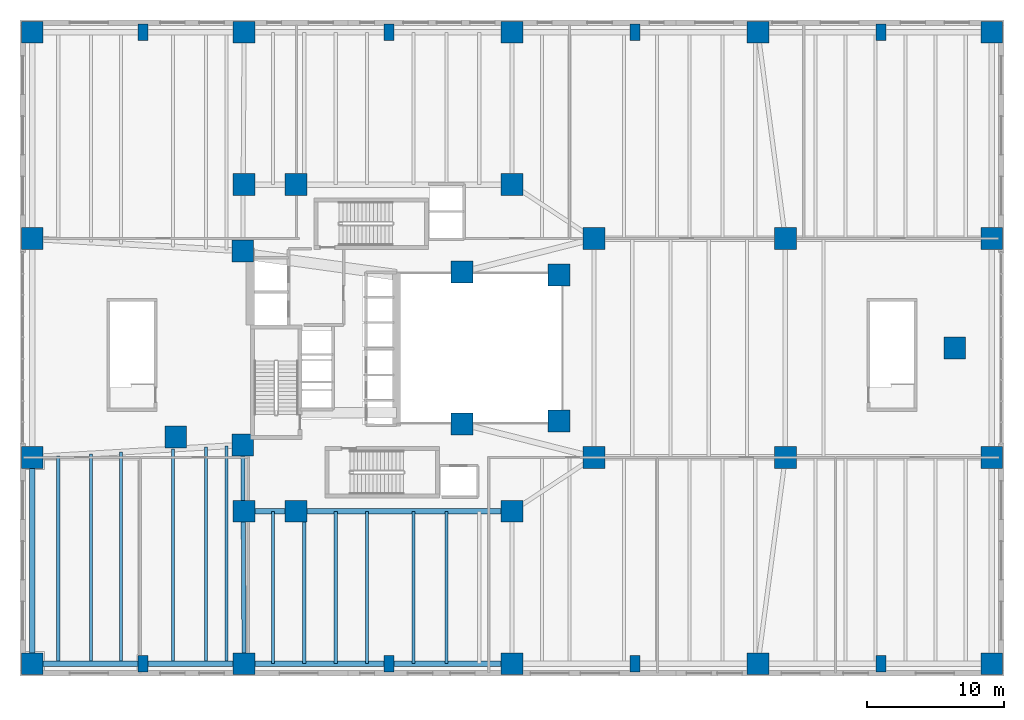
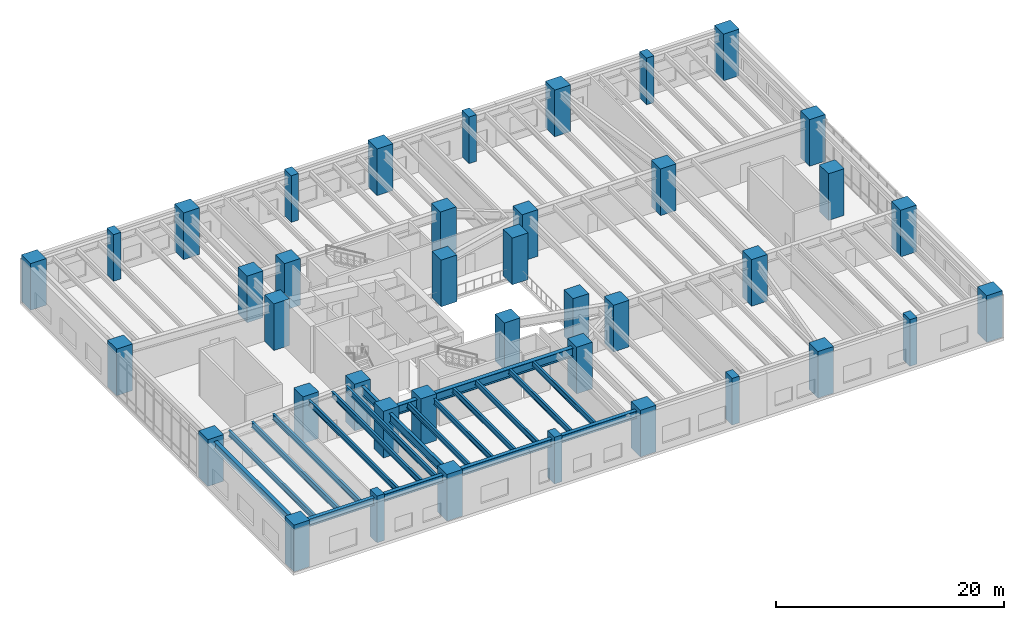
# One storey, part 1 of 18: 40 columns, 19 beams.
"""IFC4 building model written with IfcOpenShell, lengths in metres."""

import ifcopenshell
import ifcopenshell.guid

model = None  # the IFC model being written
_history = None  # IfcOwnerHistory: only IFC2X3 demands one
_inside = {}  # id of a spatial element -> (the spatial element, [elements in it])
_under = {}  # id of a project, library or spatial element -> (it, [spatial elements below it])
_declared = {}  # id of a project -> (the project, [libraries it declares])
_typed = {}  # id of a type object -> (the type object, [elements of that type])
_made_of = {}  # id of a material, layer set ... -> (it, [elements and type objects made of it])


def new_model(schema):
    """Start an empty IFC model of exactly this schema.

    Asked for "IFC4X3", IfcOpenShell would pick the latest addendum, in which some entities
    have other attributes; the version numbers below select the first issue.
    IFC2X3 requires an IfcOwnerHistory on every rooted entity: one is made here for all.
    """
    global model, _history
    if schema == "IFC4X3":
        model = ifcopenshell.file(schema_version=(4, 3, 0, 0))
    else:
        model = ifcopenshell.file(schema=schema)
    _inside.clear()
    _under.clear()
    _declared.clear()
    _typed.clear()
    _made_of.clear()
    _history = None
    if model.schema == "IFC2X3":
        org = make("IfcOrganization", Name="unknown")
        user = make(
            "IfcPersonAndOrganization",
            ThePerson=make("IfcPerson", FamilyName="unknown"),
            TheOrganization=org,
        )
        app = make(
            "IfcApplication",
            ApplicationDeveloper=org,
            Version="unknown",
            ApplicationFullName="unknown",
            ApplicationIdentifier="unknown",
        )
        _history = make(
            "IfcOwnerHistory",
            OwningUser=user,
            OwningApplication=app,
            ChangeAction="ADDED",
            CreationDate=0,
        )
    return model


def make(cls, **values):
    """One entity of the class cls with the attributes given. An attribute that is None is left unset."""
    return model.create_entity(
        cls, **{name: value for name, value in values.items() if value is not None}
    )


def rooted(cls, **values):
    """An entity with a GlobalId (a new one), such as an element, a storey or a relation."""
    return make(cls, GlobalId=ifcopenshell.guid.new(), OwnerHistory=_history, **values)


def si_unit(unit_type, name, prefix=None):
    """IfcSIUnit, for example si_unit("LENGTHUNIT", "METRE", prefix="MILLI")."""
    return make("IfcSIUnit", UnitType=unit_type, Prefix=prefix, Name=name)


def assignment(units):
    """IfcUnitAssignment: the units of a project."""
    return None if units is None else make("IfcUnitAssignment", Units=units)


def point(xyz):
    """IfcCartesianPoint."""
    return None if xyz is None else make("IfcCartesianPoint", Coordinates=xyz)


def direction(xyz):
    """IfcDirection."""
    return None if xyz is None else make("IfcDirection", DirectionRatios=xyz)


def frame(location, z_axis=None, x_axis=None):
    """IfcAxis2Placement3D, a coordinate frame: its origin and axes. An axis left out is left unset."""
    return make(
        "IfcAxis2Placement3D",
        Location=point(location),
        Axis=direction(z_axis),
        RefDirection=direction(x_axis),
    )


def frame_2d(location, x_axis=None):
    """IfcAxis2Placement2D, a coordinate frame in the plane: its origin and x axis."""
    return make(
        "IfcAxis2Placement2D", Location=point(location), RefDirection=direction(x_axis)
    )


def origin():
    """The frame at (0, 0, 0) with its axes left unset."""
    return frame((0.0, 0.0, 0.0))


def origin_2d():
    """The frame at (0, 0) in the plane with its x axis left unset."""
    return frame_2d((0.0, 0.0))


def place(relative_to, where):
    """IfcLocalPlacement: puts the frame where relative to a parent placement (None: the world)."""
    return make(
        "IfcLocalPlacement", PlacementRelTo=relative_to, RelativePlacement=where
    )


def context(
    kind, dimensions, precision=None, world=None, true_north=None, identifier=None
):
    """IfcGeometricRepresentationContext, for example the 3D "Model" context."""
    return make(
        "IfcGeometricRepresentationContext",
        ContextIdentifier=identifier,
        ContextType=kind,
        CoordinateSpaceDimension=dimensions,
        Precision=precision,
        WorldCoordinateSystem=world,
        TrueNorth=true_north,
    )


def subcontext(parent, identifier, kind, view, scale=None):
    """IfcGeometricRepresentationSubContext, for example "Body" below "Model"."""
    return make(
        "IfcGeometricRepresentationSubContext",
        ContextIdentifier=identifier,
        ContextType=kind,
        ParentContext=parent,
        TargetScale=scale,
        TargetView=view,
    )


def project(units=None, contexts=None):
    """IfcProject with its units and contexts."""
    return rooted(
        "IfcProject",
        Name="project",
        RepresentationContexts=contexts,
        UnitsInContext=assignment(units),
    )


def spatial(cls, under=None, at=None, **own):
    """A site, building, storey or space (cls), placed at a placement, below another one or the project."""
    s = rooted(cls, ObjectPlacement=at, **own)
    if under is not None:
        _under.setdefault(under.id(), (under, []))[1].append(s)
    return s


def profile(cls, at=None, kind="AREA", **sizes):
    """A parametric profile (cls). Its sizes go by their IFC names, for example OverallWidth=200.0."""
    return make(cls, ProfileType=kind, Position=at, **sizes)


def rectangle(**sizes):
    """IfcRectangleProfileDef."""
    return profile("IfcRectangleProfileDef", **sizes)


def i_section(**sizes):
    """IfcIShapeProfileDef."""
    return profile("IfcIShapeProfileDef", **sizes)


def extrude(swept, where, along, depth):
    """IfcExtrudedAreaSolid: the profile swept, set in the frame where, extruded along a direction by depth."""
    return make(
        "IfcExtrudedAreaSolid",
        SweptArea=swept,
        Position=where,
        ExtrudedDirection=direction(along),
        Depth=depth,
    )


def shape(context_of_items, identifier, shape_type, items):
    """IfcShapeRepresentation: the items that make up one representation, for example the "Body"."""
    return make(
        "IfcShapeRepresentation",
        ContextOfItems=context_of_items,
        RepresentationIdentifier=identifier,
        RepresentationType=shape_type,
        Items=items,
    )


def material(Name=None, Category=None):
    """IfcMaterial."""
    return make("IfcMaterial", Name=Name, Category=Category)


def material_profile(
    of_material, cross_section, Name=None, Category=None, Priority=None
):
    """IfcMaterialProfile: a cross section and its material."""
    return make(
        "IfcMaterialProfile",
        Name=Name,
        Material=of_material,
        Profile=cross_section,
        Priority=Priority,
        Category=Category,
    )


def profile_set(profiles, Name=None, composite=None):
    """IfcMaterialProfileSet."""
    return make(
        "IfcMaterialProfileSet",
        Name=Name,
        MaterialProfiles=profiles,
        CompositeProfile=composite,
    )


def made_of(thing, what):
    """Note that an element or type object is made of a material, layer set ...; save() writes the relation."""
    if what is not None:
        _made_of.setdefault(what.id(), (what, []))[1].append(thing)
    return thing


def type_object(cls, material=None, **own):
    """A type object (cls), such as IfcWallType, which elements share."""
    return made_of(rooted(cls, **own), material)


def element(
    cls,
    number,
    at=None,
    inside=None,
    cuts=None,
    type_object=None,
    material=None,
    context=None,
    identifier="Body",
    shape_type=None,
    held_by="IfcProductDefinitionShape",
    body=None,
    shapes=None,
    **own,
):
    """One element of the class cls, such as IfcWall. Its Tag is "e" and its number.

    at: its placement. inside: the storey or other place that contains it. cuts: it is an
    opening in that element (IfcRelVoidsElement). A single representation is given by context,
    identifier, shape_type and body (its items); several are given by shapes. held_by: the class
    of the entity that holds the representations. save() writes the other relations.
    """
    e = rooted(cls, Tag="e%d" % number, ObjectPlacement=at, **own)
    if body is not None:
        shapes = [shape(context, identifier, shape_type, body)]
    if shapes is not None:
        e.Representation = make(held_by, Representations=shapes)
    if inside is not None:
        _inside.setdefault(inside.id(), (inside, []))[1].append(e)
    if cuts is not None:
        rooted(
            "IfcRelVoidsElement", RelatingBuildingElement=cuts, RelatedOpeningElement=e
        )
    if type_object is not None:
        _typed.setdefault(type_object.id(), (type_object, []))[1].append(e)
    return made_of(e, material)


def aggregate(whole, parts):
    """IfcRelAggregates: a whole, such as a stair, and the parts it consists of."""
    return rooted("IfcRelAggregates", RelatingObject=whole, RelatedObjects=parts)


def save(model, path):
    """Write the relations noted so far, then the file.

    IfcRelAggregates (storeys below a building ...), IfcRelContainedInSpatialStructure (elements
    in a storey), IfcRelDefinesByType, IfcRelAssociatesMaterial and IfcRelDeclares: one each for
    every whole, place, type object, material and project.
    """
    for whole, parts in _under.values():
        aggregate(whole, parts)
    for where, things in _inside.values():
        rooted(
            "IfcRelContainedInSpatialStructure",
            RelatedElements=things,
            RelatingStructure=where,
        )
    for kind, things in _typed.values():
        rooted("IfcRelDefinesByType", RelatedObjects=things, RelatingType=kind)
    for what, things in _made_of.values():
        rooted("IfcRelAssociatesMaterial", RelatedObjects=things, RelatingMaterial=what)
    for by, libraries in _declared.values():
        rooted("IfcRelDeclares", RelatingContext=by, RelatedDefinitions=libraries)
    model.write(path)


model = new_model("IFC4")

# Units and contexts
model_context = context("Model", 3, precision=1e-05, world=origin(), true_north=direction((0.0, 1.0)))
body_context = subcontext(model_context, "Body", "Model", "MODEL_VIEW")
ifc_project = project(units=[si_unit("LENGTHUNIT", "METRE"), si_unit("AREAUNIT", "SQUARE_METRE"), si_unit("VOLUMEUNIT", "CUBIC_METRE"), si_unit("PLANEANGLEUNIT", "RADIAN"), si_unit("MASSUNIT", "GRAM", prefix="KILO"), si_unit("THERMODYNAMICTEMPERATUREUNIT", "KELVIN"), si_unit("POWERUNIT", "WATT")], contexts=[model_context])

# Site, building, storey
site_placement = place(None, origin())
site = spatial("IfcSite", under=ifc_project, at=site_placement, CompositionType="ELEMENT")
building_placement = place(site_placement, origin())
building = spatial("IfcBuilding", under=site, at=building_placement, Name="Skarre Station Tower", CompositionType="ELEMENT")
storey_placement = place(building_placement, frame((0.0, 0.0, 16.0)))
storey = spatial("IfcBuildingStorey", under=building, at=storey_placement, Name="L04", CompositionType="ELEMENT", Elevation=16.0)

# Columns
ifc_material_1 = material(Name="Concrete C70/85", Category="concrete")
ifc_material_profile_1 = material_profile(ifc_material_1, rectangle(XDim=1.60009765625, YDim=1.60009765625, at=origin_2d()), Name="Concrete C70/85")
ifc_profile_set_1 = profile_set([ifc_material_profile_1], Name="Concrete C70/85")
column_type_1 = type_object("IfcColumnType", Name="RC Structural Column RC-COL-1600X1600", PredefinedType="COLUMN", material=ifc_profile_set_1)
for number, where, z_axis, x_axis, name in (
    (1, (16.300048828125, 16.89990234375, 0.0), (0.0, 0.0, 1.0), (1.0, 0.0, 0.0), "L04 Core Column CC-SW"),
    (2, (16.300048828125, 31.10009765625, 0.0), (0.0, 0.0, 1.0), (1.0, 0.0, 0.0), "L04 Core Column CC-NW"),
    (3, (32.35009765625, 18.449951171875, 0.0), (0.0, 0.0, 1.0), (1.0, 0.0, 0.0), "L04 Core Column CC-SE"),
    (4, (32.35009765625, 29.550048828125, 0.0), (0.0, 0.0, 1.0), (1.0, 0.0, 0.0), "L04 Core Column CC-NE"),
    (5, (0.89990234375, 0.89990234375, 0.0), (0.0, 0.0, 1.0), (1.0, 0.0, 0.0), "L04 Station Concourse Mega-Column PM01"),
    (6, (71.10009765625, 0.89990234375, 0.0), (0.0, 0.0, 1.0), (1.0, 0.0, 0.0), "L04 Station Concourse Mega-Column PM02"),
    (7, (0.89990234375, 47.10009765625, 0.0), (0.0, 0.0, 1.0), (1.0, 0.0, 0.0), "L04 Station Concourse Mega-Column PM03"),
    (8, (71.10009765625, 47.10009765625, 0.0), (0.0, 0.0, 1.0), (1.0, 0.0, 0.0), "L04 Station Concourse Mega-Column PM04"),
    (9, (16.39990234375, 0.89990234375, 0.0), (0.0, 0.0, 1.0), (1.0, 0.0, 0.0), "L04 Station Concourse Mega-Column PM05"),
    (10, (36.0, 0.89990234375, 0.0), (0.0, 0.0, 1.0), (1.0, 0.0, 0.0), "L04 Station Concourse Mega-Column PM06"),
    (11, (54.0, 0.89990234375, 0.0), (0.0, 0.0, 1.0), (1.0, 0.0, 0.0), "L04 Station Concourse Mega-Column PM07"),
    (12, (16.39990234375, 47.10009765625, 0.0), (0.0, 0.0, 1.0), (1.0, 0.0, 0.0), "L04 Station Concourse Mega-Column PM08"),
    (13, (36.0, 47.10009765625, 0.0), (0.0, 0.0, 1.0), (1.0, 0.0, 0.0), "L04 Station Concourse Mega-Column PM09"),
    (14, (54.0, 47.10009765625, 0.0), (0.0, 0.0, 1.0), (1.0, 0.0, 0.0), "L04 Station Concourse Mega-Column PM10"),
    (15, (0.89990234375, 16.0, 0.0), (0.0, 0.0, 1.0), (1.0, 0.0, 0.0), "L04 Station Concourse Mega-Column PM11"),
    (16, (0.89990234375, 32.0, 0.0), (0.0, 0.0, 1.0), (1.0, 0.0, 0.0), "L04 Station Concourse Mega-Column PM12"),
    (17, (71.10009765625, 16.0, 0.0), (0.0, 0.0, 1.0), (1.0, 0.0, 0.0), "L04 Station Concourse Mega-Column PM13"),
    (18, (71.10009765625, 32.0, 0.0), (0.0, 0.0, 1.0), (1.0, 0.0, 0.0), "L04 Station Concourse Mega-Column PM14"),
    (19, (42.0, 16.0, 0.0), (0.0, 0.0, 1.0), (1.0, 0.0, 0.0), "L04 Station Concourse Mega-Column PM15"),
    (20, (42.0, 32.0, 0.0), (0.0, 0.0, 1.0), (1.0, 0.0, 0.0), "L04 Station Concourse Mega-Column PM16"),
    (21, (56.0, 16.0, 0.0), (0.0, 0.0, 1.0), (1.0, 0.0, 0.0), "L04 Station Concourse Mega-Column PM17"),
    (22, (56.0, 32.0, 0.0), (0.0, 0.0, 1.0), (1.0, 0.0, 0.0), "L04 Station Concourse Mega-Column PM18"),
    (23, (11.39990234375, 17.5, 0.0), (0.0, 0.0, 1.0), (1.0, 0.0, 0.0), "L04 Station Concourse Mega-Column PM19"),
    (24, (68.39990234375, 24.0, 0.0), (0.0, 0.0, 1.0), (1.0, 0.0, 0.0), "L04 Station Concourse Mega-Column PM20"),
    (25, (20.199951171875, 35.949951171875, 0.0), (0.0, 0.0, 1.0), (1.0, 0.0, 0.0), "L04 Station Concourse Mega-Column PM21"),
    (26, (20.199951171875, 12.050048828125, 0.0), (0.0, 0.0, 1.0), (1.0, 0.0, 0.0), "L04 Station Concourse Mega-Column PM22"),
    (27, (16.39990234375, 12.050048828125, 0.0), (0.0, 0.0, 1.0), (1.0, 0.0, 0.0), "L04 Station Concourse Mega-Column PM23"),
    (28, (36.0, 12.050048828125, 0.0), (0.0, 0.0, 1.0), (1.0, 0.0, 0.0), "L04 Station Concourse Mega-Column PM24"),
    (29, (16.39990234375, 35.949951171875, 0.0), (0.0, 0.0, 1.0), (1.0, 0.0, 0.0), "L04 Station Concourse Mega-Column PM25"),
    (30, (36.0, 35.949951171875, 0.0), (0.0, 0.0, 1.0), (1.0, 0.0, 0.0), "L04 Station Concourse Mega-Column PM26"),
    (31, (39.449951171875, 18.64990234375, 0.0), (0.0, 0.0, 1.0), (1.0, 0.0, 0.0), "L04 Station Concourse Mega-Column PM27"),
    (32, (39.449951171875, 29.35009765625, 0.0), (0.0, 0.0, 1.0), (1.0, 0.0, 0.0), "L04 Station Concourse Mega-Column PM28"),
):
    element("IfcColumn", number, at=place(storey_placement, frame(where, z_axis=z_axis, x_axis=x_axis)), inside=storey, type_object=column_type_1, Name=name, PredefinedType="COLUMN", context=body_context, shape_type="SweptSolid", body=[
        extrude(rectangle(XDim=1.60009765625, YDim=1.60009765625, at=origin_2d()), origin(), (0.0, 0.0, 1.0), 5.0),
    ])
ifc_material_2 = material(Name="Concrete C60/75", Category="concrete")
ifc_material_profile_2 = material_profile(ifc_material_2, rectangle(XDim=0.75, YDim=1.199951171875, at=origin_2d()), Name="Concrete C60/75")
ifc_profile_set_2 = profile_set([ifc_material_profile_2], Name="Concrete C60/75")
column_type_2 = type_object("IfcColumnType", Name="RC Structural Pilaster RC-PIER-1200X750", PredefinedType="PILASTER", material=ifc_profile_set_2)
for number, where, z_axis, x_axis, name in (
    (33, (9.0, 0.89990234375, 0.0), (0.0, 0.0, 1.0), (1.0, 0.0, 0.0), "L04 Concourse Facade Pilaster P1"),
    (34, (27.0, 0.89990234375, 0.0), (0.0, 0.0, 1.0), (1.0, 0.0, 0.0), "L04 Concourse Facade Pilaster P2"),
    (35, (45.0, 0.89990234375, 0.0), (0.0, 0.0, 1.0), (1.0, 0.0, 0.0), "L04 Concourse Facade Pilaster P3"),
    (36, (63.0, 0.89990234375, 0.0), (0.0, 0.0, 1.0), (1.0, 0.0, 0.0), "L04 Concourse Facade Pilaster P4"),
    (37, (9.0, 47.10009765625, 0.0), (0.0, 0.0, 1.0), (1.0, 0.0, 0.0), "L04 Concourse Facade Pilaster P5"),
    (38, (27.0, 47.10009765625, 0.0), (0.0, 0.0, 1.0), (1.0, 0.0, 0.0), "L04 Concourse Facade Pilaster P6"),
    (39, (45.0, 47.10009765625, 0.0), (0.0, 0.0, 1.0), (1.0, 0.0, 0.0), "L04 Concourse Facade Pilaster P7"),
    (40, (63.0, 47.10009765625, 0.0), (0.0, 0.0, 1.0), (1.0, 0.0, 0.0), "L04 Concourse Facade Pilaster P8"),
):
    element("IfcColumn", number, at=place(storey_placement, frame(where, z_axis=z_axis, x_axis=x_axis)), inside=storey, type_object=column_type_2, Name=name, PredefinedType="PILASTER", context=body_context, shape_type="SweptSolid", body=[
        extrude(rectangle(XDim=0.75, YDim=1.199951171875, at=origin_2d()), origin(), (0.0, 0.0, 1.0), 5.0),
    ])

# Beams
ifc_material_3 = material(Name="Steel ASTM A992 Grade 50", Category="steel")
ifc_material_profile_3 = material_profile(ifc_material_3, i_section(OverallWidth=0.30810546875, OverallDepth=0.927001953125, WebThickness=0.01904296875, FlangeThickness=0.031982421875, at=origin_2d()), Name="Steel ASTM A992 Grade 50")
ifc_profile_set_3 = profile_set([ifc_material_profile_3], Name="Steel ASTM A992 Grade 50")
beam_type_1 = type_object("IfcBeamType", Name="Steel Beam W36X194", PredefinedType="BEAM", material=ifc_profile_set_3)
beam_1_placement = place(storey_placement, frame((16.39990234375, 0.89990234375, 4.115966796875), z_axis=(-0.006240723195, 0.999980526497, 0.0), x_axis=(-0.999980526497, -0.006240723195, 0.0)))
element("IfcBeam", 41, at=beam_1_placement, inside=storey, type_object=beam_type_1, Name="L04 Concourse Transverse Girder NS1", PredefinedType="BEAM", context=body_context, shape_type="SweptSolid", body=[
    extrude(i_section(OverallWidth=0.30810546875, OverallDepth=0.927001953125, WebThickness=0.01904296875, FlangeThickness=0.031982421875, at=origin_2d()), origin(), (0.0, 0.0, 1.0), 16.000244140625),
])
ifc_material_profile_4 = material_profile(ifc_material_3, i_section(OverallWidth=0.423095703125, OverallDepth=0.947998046875, WebThickness=0.02392578125, FlangeThickness=0.04296875, at=origin_2d()), Name="Steel ASTM A992 Grade 50")
ifc_profile_set_4 = profile_set([ifc_material_profile_4], Name="Steel ASTM A992 Grade 50")
beam_type_2 = type_object("IfcBeamType", Name="Steel Beam W36X302", PredefinedType="BEAM", material=ifc_profile_set_4)
beam_2_placement = place(storey_placement, frame((16.39990234375, 12.050048828125, 4.10595703125), z_axis=(1.0, 0.0, 0.0), x_axis=(0.0, 1.0, 0.0)))
element("IfcBeam", 42, at=beam_2_placement, inside=storey, type_object=beam_type_2, Name="L04 Concourse Primary Girder HDRS", PredefinedType="BEAM", context=body_context, shape_type="SweptSolid", body=[
    extrude(i_section(OverallWidth=0.423095703125, OverallDepth=0.947998046875, WebThickness=0.02392578125, FlangeThickness=0.04296875, at=origin_2d()), origin(), (0.0, 0.0, 1.0), 19.60009765625),
])
ifc_material_profile_5 = material_profile(ifc_material_3, i_section(OverallWidth=0.22802734375, OverallDepth=0.60791015625, WebThickness=0.010986328125, FlangeThickness=0.01708984375, at=origin_2d()), Name="Steel ASTM A992 Grade 50")
ifc_profile_set_5 = profile_set([ifc_material_profile_5], Name="Steel ASTM A992 Grade 50")
beam_type_3 = type_object("IfcBeamType", Name="Steel Joist W24X76", PredefinedType="JOIST", material=ifc_profile_set_5)
beam_3_placement = place(storey_placement, frame((2.800048828125, 0.89990234375, 4.27587890625), z_axis=(0.0, 1.0, 0.0), x_axis=(-1.0, 0.0, 0.0)))
element("IfcBeam", 43, at=beam_3_placement, inside=storey, type_object=beam_type_3, Name="L04 South Bay Joist 1", PredefinedType="JOIST", context=body_context, shape_type="SweptSolid", body=[
    extrude(i_section(OverallWidth=0.22802734375, OverallDepth=0.60791015625, WebThickness=0.010986328125, FlangeThickness=0.01708984375, at=origin_2d()), origin(), (0.0, 0.0, 1.0), 15.211181640625),
])
beam_4_placement = place(storey_placement, frame((5.199951171875, 0.89990234375, 4.27587890625), z_axis=(0.0, 1.0, 0.0), x_axis=(-1.0, 0.0, 0.0)))
element("IfcBeam", 44, at=beam_4_placement, inside=storey, type_object=beam_type_3, Name="L04 South Bay Joist 2", PredefinedType="JOIST", context=body_context, shape_type="SweptSolid", body=[
    extrude(i_section(OverallWidth=0.22802734375, OverallDepth=0.60791015625, WebThickness=0.010986328125, FlangeThickness=0.01708984375, at=origin_2d()), origin(), (0.0, 0.0, 1.0), 15.35107421875),
])
beam_5_placement = place(storey_placement, frame((7.39990234375, 0.89990234375, 4.27587890625), z_axis=(0.0, 1.0, 0.0), x_axis=(-1.0, 0.0, 0.0)))
element("IfcBeam", 45, at=beam_5_placement, inside=storey, type_object=beam_type_3, Name="L04 South Bay Joist 3", PredefinedType="JOIST", context=body_context, shape_type="SweptSolid", body=[
    extrude(i_section(OverallWidth=0.22802734375, OverallDepth=0.60791015625, WebThickness=0.010986328125, FlangeThickness=0.01708984375, at=origin_2d()), origin(), (0.0, 0.0, 1.0), 15.47998046875),
])
beam_6_placement = place(storey_placement, frame((11.199951171875, 0.89990234375, 4.27587890625), z_axis=(0.0, 1.0, 0.0), x_axis=(-1.0, 0.0, 0.0)))
element("IfcBeam", 46, at=beam_6_placement, inside=storey, type_object=beam_type_3, Name="L04 South Bay Joist 4", PredefinedType="JOIST", context=body_context, shape_type="SweptSolid", body=[
    extrude(i_section(OverallWidth=0.22802734375, OverallDepth=0.60791015625, WebThickness=0.010986328125, FlangeThickness=0.01708984375, at=origin_2d()), origin(), (0.0, 0.0, 1.0), 15.7021484375),
])
beam_7_placement = place(storey_placement, frame((13.60009765625, 0.89990234375, 4.27587890625), z_axis=(0.0, 1.0, 0.0), x_axis=(-1.0, 0.0, 0.0)))
element("IfcBeam", 47, at=beam_7_placement, inside=storey, type_object=beam_type_3, Name="L04 South Bay Joist 5", PredefinedType="JOIST", context=body_context, shape_type="SweptSolid", body=[
    extrude(i_section(OverallWidth=0.22802734375, OverallDepth=0.60791015625, WebThickness=0.010986328125, FlangeThickness=0.01708984375, at=origin_2d()), origin(), (0.0, 0.0, 1.0), 15.842041015625),
])
beam_8_placement = place(storey_placement, frame((15.10009765625, 0.89990234375, 4.27587890625), z_axis=(0.0, 1.0, 0.0), x_axis=(-1.0, 0.0, 0.0)))
element("IfcBeam", 48, at=beam_8_placement, inside=storey, type_object=beam_type_3, Name="L04 South Bay Joist 6", PredefinedType="JOIST", context=body_context, shape_type="SweptSolid", body=[
    extrude(i_section(OverallWidth=0.22802734375, OverallDepth=0.60791015625, WebThickness=0.010986328125, FlangeThickness=0.01708984375, at=origin_2d()), origin(), (0.0, 0.0, 1.0), 15.93017578125),
])
for number, where, z_axis, x_axis, name in (
    (49, (18.5, 0.89990234375, 4.27587890625), (0.0, 1.0, 0.0), (-1.0, 0.0, 0.0), "L04 South Bay Joist 7"),
    (50, (20.800048828125, 0.89990234375, 4.27587890625), (0.0, 1.0, 0.0), (-1.0, 0.0, 0.0), "L04 South Bay Joist 8"),
    (51, (23.10009765625, 0.89990234375, 4.27587890625), (0.0, 1.0, 0.0), (-1.0, 0.0, 0.0), "L04 South Bay Joist 9"),
    (52, (25.39990234375, 0.89990234375, 4.27587890625), (0.0, 1.0, 0.0), (-1.0, 0.0, 0.0), "L04 South Bay Joist 10"),
    (53, (28.800048828125, 0.89990234375, 4.27587890625), (0.0, 1.0, 0.0), (-1.0, 0.0, 0.0), "L04 South Bay Joist 11"),
    (54, (31.199951171875, 0.89990234375, 4.27587890625), (0.0, 1.0, 0.0), (-1.0, 0.0, 0.0), "L04 South Bay Joist 12"),
):
    element("IfcBeam", number, at=place(storey_placement, frame(where, z_axis=z_axis, x_axis=x_axis)), inside=storey, type_object=beam_type_3, Name=name, PredefinedType="JOIST", context=body_context, shape_type="SweptSolid", body=[
        extrude(i_section(OverallWidth=0.22802734375, OverallDepth=0.60791015625, WebThickness=0.010986328125, FlangeThickness=0.01708984375, at=origin_2d()), origin(), (0.0, 0.0, 1.0), 11.150146484375),
    ])
ifc_material_profile_6 = material_profile(ifc_material_3, i_section(OverallWidth=0.384033203125, OverallDepth=0.785888671875, WebThickness=0.02001953125, FlangeThickness=0.032958984375, at=origin_2d()), Name="Steel ASTM A992 Grade 50")
ifc_profile_set_6 = profile_set([ifc_material_profile_6], Name="Steel ASTM A992 Grade 50")
beam_type_4 = type_object("IfcBeamType", Name="Steel Spandrel W30X211", PredefinedType="SPANDREL", material=ifc_profile_set_6)
beam_9_placement = place(storey_placement, frame((0.89990234375, 0.89990234375, 4.18701171875), z_axis=(1.0, 0.0, 0.0), x_axis=(0.0, 1.0, 0.0)))
element("IfcBeam", 55, at=beam_9_placement, inside=storey, type_object=beam_type_4, Name="L04 South Podium Spandrel 1", PredefinedType="SPANDREL", context=body_context, shape_type="SweptSolid", body=[
    extrude(i_section(OverallWidth=0.384033203125, OverallDepth=0.785888671875, WebThickness=0.02001953125, FlangeThickness=0.032958984375, at=origin_2d()), origin(), (0.0, 0.0, 1.0), 8.10009765625),
])
beam_10_placement = place(storey_placement, frame((9.0, 0.89990234375, 4.18701171875), z_axis=(1.0, 0.0, 0.0), x_axis=(0.0, 1.0, 0.0)))
element("IfcBeam", 56, at=beam_10_placement, inside=storey, type_object=beam_type_4, Name="L04 South Podium Spandrel 2", PredefinedType="SPANDREL", context=body_context, shape_type="SweptSolid", body=[
    extrude(i_section(OverallWidth=0.384033203125, OverallDepth=0.785888671875, WebThickness=0.02001953125, FlangeThickness=0.032958984375, at=origin_2d()), origin(), (0.0, 0.0, 1.0), 7.39990234375),
])
beam_11_placement = place(storey_placement, frame((16.39990234375, 0.89990234375, 4.18701171875), z_axis=(1.0, 0.0, 0.0), x_axis=(0.0, 1.0, 0.0)))
element("IfcBeam", 57, at=beam_11_placement, inside=storey, type_object=beam_type_4, Name="L04 South Podium Spandrel 3", PredefinedType="SPANDREL", context=body_context, shape_type="SweptSolid", body=[
    extrude(i_section(OverallWidth=0.384033203125, OverallDepth=0.785888671875, WebThickness=0.02001953125, FlangeThickness=0.032958984375, at=origin_2d()), origin(), (0.0, 0.0, 1.0), 10.60009765625),
])
beam_12_placement = place(storey_placement, frame((27.0, 0.89990234375, 4.18701171875), z_axis=(1.0, 0.0, 0.0), x_axis=(0.0, 1.0, 0.0)))
element("IfcBeam", 58, at=beam_12_placement, inside=storey, type_object=beam_type_4, Name="L04 South Podium Spandrel 4", PredefinedType="SPANDREL", context=body_context, shape_type="SweptSolid", body=[
    extrude(i_section(OverallWidth=0.384033203125, OverallDepth=0.785888671875, WebThickness=0.02001953125, FlangeThickness=0.032958984375, at=origin_2d()), origin(), (0.0, 0.0, 1.0), 9.0),
])
beam_13_placement = place(storey_placement, frame((0.89990234375, 0.89990234375, 4.18701171875), z_axis=(0.0, 1.0, 0.0), x_axis=(-1.0, 0.0, 0.0)))
element("IfcBeam", 59, at=beam_13_placement, inside=storey, type_object=beam_type_4, Name="L04 West Podium Spandrel 1", PredefinedType="SPANDREL", context=body_context, shape_type="SweptSolid", body=[
    extrude(i_section(OverallWidth=0.384033203125, OverallDepth=0.785888671875, WebThickness=0.02001953125, FlangeThickness=0.032958984375, at=origin_2d()), origin(), (0.0, 0.0, 1.0), 15.10009765625),
])

save(model, "model.ifc")
